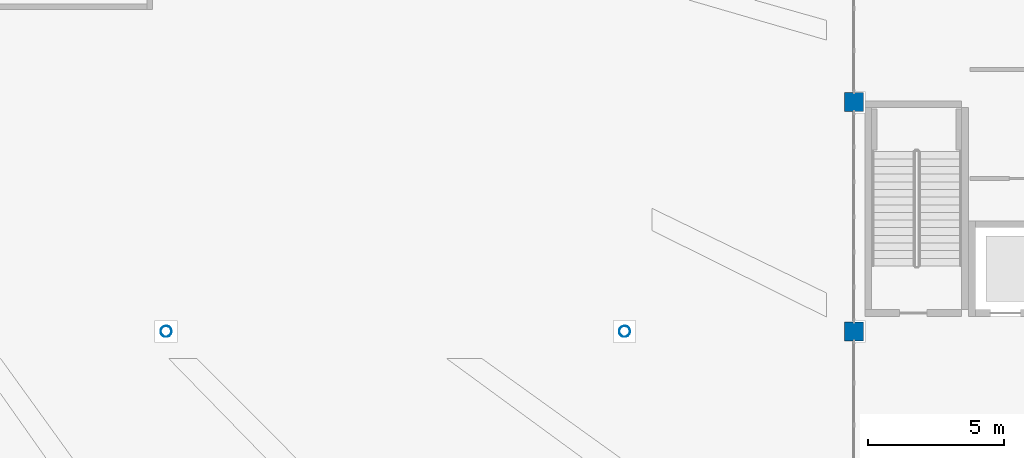
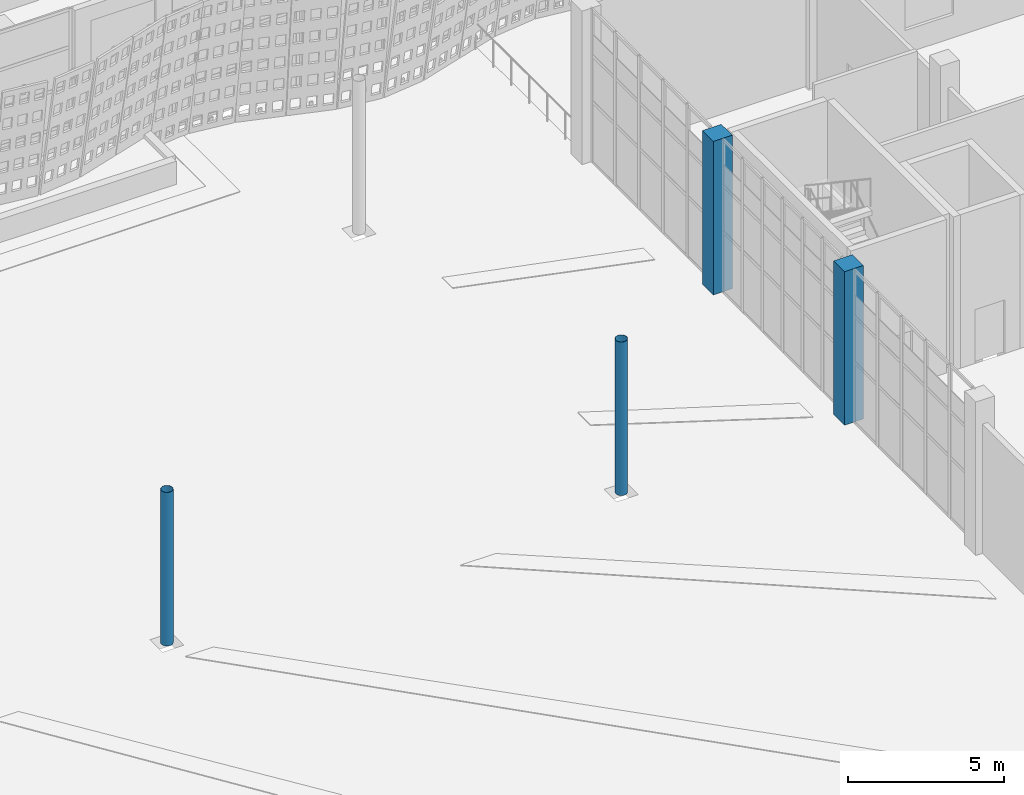
# One storey, part 14 of 210: 4 columns.
"""IFC4 building model written with IfcOpenShell, lengths in metres."""

from ifc_helpers import new_model, si_unit, direction, frame, origin, origin_2d, place, context, subcontext, project, spatial, rectangle, hollow_circle, extrude, material, material_profile, profile_set, type_object, element, save


model = new_model("IFC4")

# Units and contexts
model_context = context("Model", 3, precision=1e-05, world=origin(), true_north=direction((0.0, 1.0)))
body_context = subcontext(model_context, "Body", "Model", "MODEL_VIEW")
ifc_project = project(units=[si_unit("LENGTHUNIT", "METRE"), si_unit("AREAUNIT", "SQUARE_METRE"), si_unit("VOLUMEUNIT", "CUBIC_METRE"), si_unit("PLANEANGLEUNIT", "RADIAN"), si_unit("MASSUNIT", "GRAM", prefix="KILO")], contexts=[model_context])

# Site, building, storey
site_placement = place(None, origin())
site = spatial("IfcSite", under=ifc_project, at=site_placement, CompositionType="ELEMENT")
building_placement = place(site_placement, origin())
building = spatial("IfcBuilding", under=site, at=building_placement, Name="Rain Tree Exposition and Congress Centre", CompositionType="ELEMENT")
storey_placement = place(building_placement, origin())
storey = spatial("IfcBuildingStorey", under=building, at=storey_placement, Name="L00", CompositionType="ELEMENT", Elevation=0.0)

# Columns
ifc_material_1 = material(Name="Precast concrete C50/60", Category="concrete")
ifc_material_profile_1 = material_profile(ifc_material_1, rectangle(XDim=0.699951171875, YDim=0.699951171875, at=origin_2d()), Name="RC 700x700")
ifc_profile_set_1 = profile_set([ifc_material_profile_1], Name="Precast concrete C50/60")
column_type_1 = type_object("IfcColumnType", Name="Precast column 700x700", PredefinedType="COLUMN", material=ifc_profile_set_1)
for number, where, z_axis, x_axis, name in (
    (1, (151.199951171875, 50.39990234375, 0.0), (0.0, 0.0, 1.0), (1.0, 0.0, 0.0), "CF151.2-50.4"),
    (2, (151.199951171875, 58.800048828125, 0.0), (0.0, 0.0, 1.0), (1.0, 0.0, 0.0), "CF151.2-58.8"),
):
    element("IfcColumn", number, at=place(storey_placement, frame(where, z_axis=z_axis, x_axis=x_axis)), inside=storey, type_object=column_type_1, Name=name, PredefinedType="COLUMN", context=body_context, shape_type="SweptSolid", body=[
        extrude(rectangle(XDim=0.699951171875, YDim=0.699951171875, at=origin_2d()), origin(), (0.0, 0.0, 1.0), 6.0),
    ])
ifc_material_2 = material(Name="Steel S355J2H", Category="steel")
ifc_material_profile_2 = material_profile(ifc_material_2, hollow_circle(Radius=0.203125, WallThickness=0.009033203125, at=origin_2d()), Name="CHS 406.4x9")
ifc_profile_set_2 = profile_set([ifc_material_profile_2], Name="Steel S355J2H")
column_type_2 = type_object("IfcColumnType", Name="Steel column CHS 406.4x9", PredefinedType="COLUMN", material=ifc_profile_set_2)
for number, where, z_axis, x_axis, name in (
    (3, (126.0, 50.39990234375, 0.0), (0.0, 0.0, 1.0), (1.0, 0.0, 0.0), "Rain tree column 9"),
    (4, (142.800048828125, 50.39990234375, 0.0), (0.0, 0.0, 1.0), (1.0, 0.0, 0.0), "Rain tree column 11"),
):
    element("IfcColumn", number, at=place(storey_placement, frame(where, z_axis=z_axis, x_axis=x_axis)), inside=storey, type_object=column_type_2, Name=name, PredefinedType="COLUMN", context=body_context, shape_type="SweptSolid", body=[
        extrude(hollow_circle(Radius=0.203125, WallThickness=0.009033203125, at=origin_2d()), origin(), (0.0, 0.0, 1.0), 6.0),
    ])

save(model, "model.ifc")
